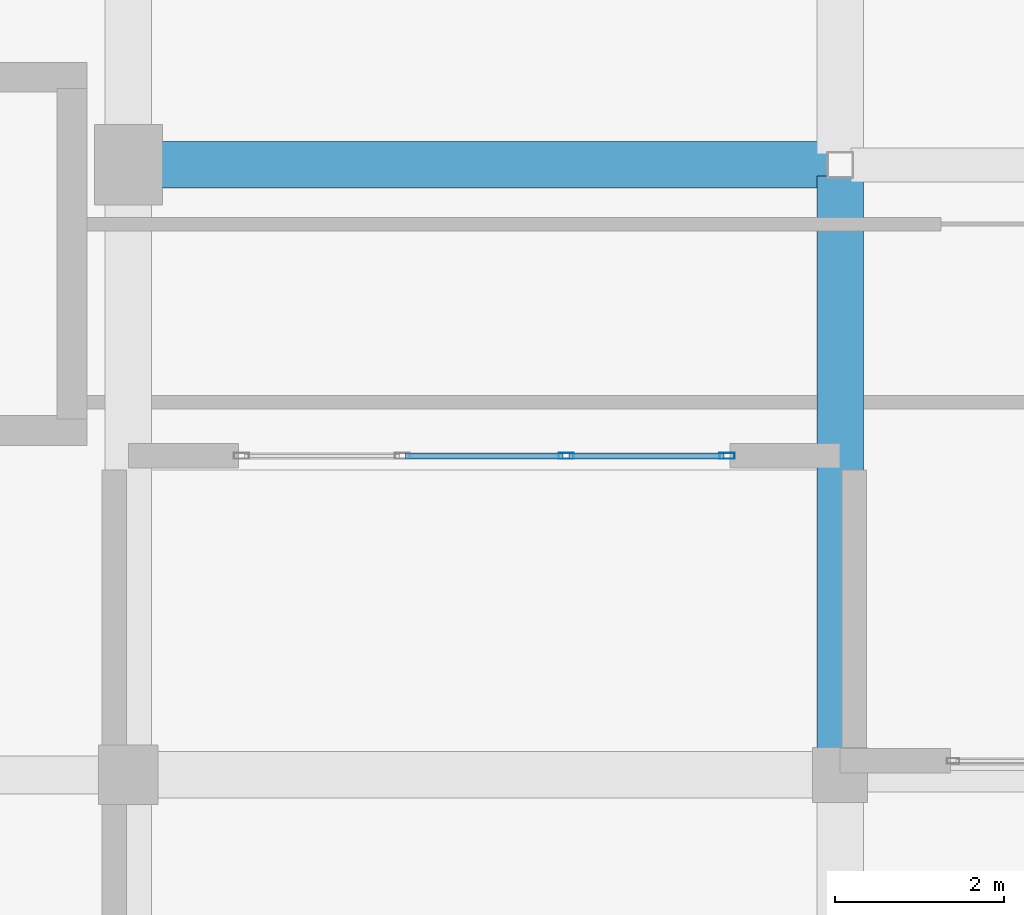
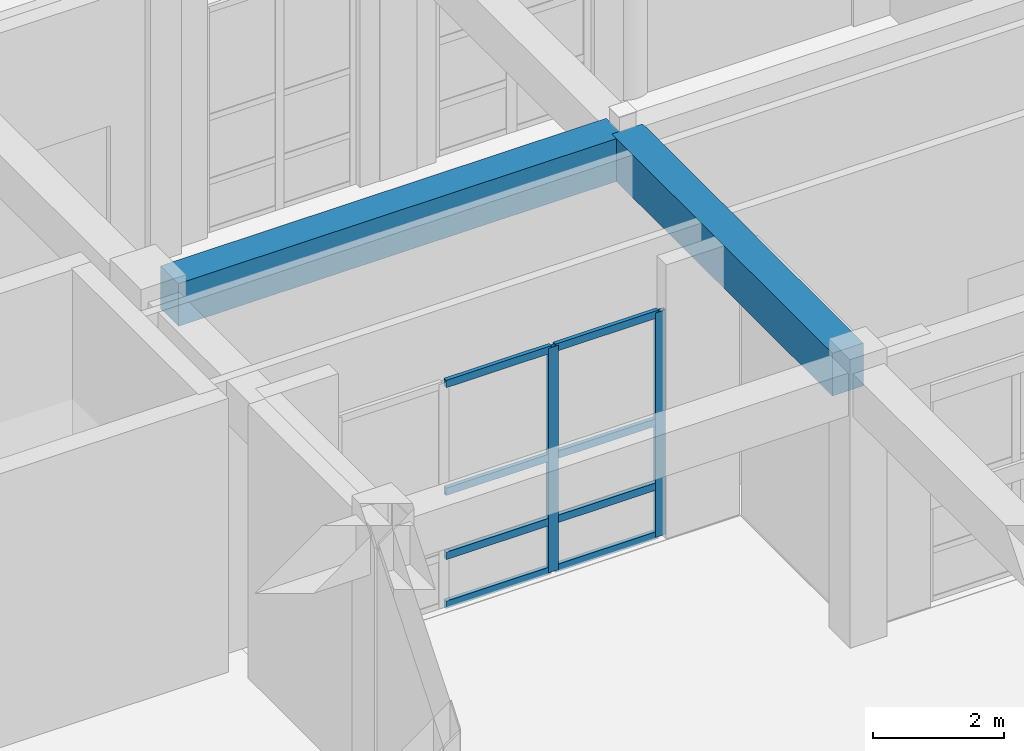
# One storey, part 78 of 148: 10 members, 2 beams, 1 element without a shape of its own.
"""IFC4 building model written with IfcOpenShell, lengths in metres."""

from ifc_helpers import new_model, si_unit, direction, frame, origin, origin_2d, place, context, subcontext, project, spatial, rectangle, hollow_rectangle, extrude, material, layer, layer_set, material_profile, profile_set, type_object, element, aggregate, save


model = new_model("IFC4")

# Units and contexts
model_context = context("Model", 3, precision=1e-05, world=origin(), true_north=direction((0.0, 1.0)))
body_context = subcontext(model_context, "Body", "Model", "MODEL_VIEW")
ifc_project = project(units=[si_unit("LENGTHUNIT", "METRE"), si_unit("AREAUNIT", "SQUARE_METRE"), si_unit("VOLUMEUNIT", "CUBIC_METRE"), si_unit("PLANEANGLEUNIT", "RADIAN"), si_unit("MASSUNIT", "GRAM", prefix="KILO")], contexts=[model_context])

# Site, building, storey
site_placement = place(None, origin())
site = spatial("IfcSite", under=ifc_project, at=site_placement, CompositionType="ELEMENT")
building_placement = place(site_placement, origin())
building = spatial("IfcBuilding", under=site, at=building_placement, Name="Quendrovan Civic Courthouse", CompositionType="ELEMENT")
storey_placement = place(building_placement, origin())
storey = spatial("IfcBuildingStorey", under=building, at=storey_placement, Name="L01", CompositionType="ELEMENT", Elevation=0.0)

# Beams
ifc_material_1 = material(Name="Concrete C40/50", Category="concrete")
ifc_material_profile_1 = material_profile(ifc_material_1, rectangle(XDim=0.550048828125, YDim=0.800048828125, at=origin_2d()), Name="RC-BM-550x800")
ifc_profile_set_1 = profile_set([ifc_material_profile_1], Name="Concrete C40/50")
beam_type = type_object("IfcBeamType", Name="BM-RC800", PredefinedType="BEAM", material=ifc_profile_set_1)
beam_1_placement = place(storey_placement, frame((92.780029296875, 94.800048828125, 4.719970703125), z_axis=(1.0, 0.0, 0.0), x_axis=(0.0, 1.0, 0.0)))
element("IfcBeam", 1, at=beam_1_placement, inside=storey, type_object=beam_type, Name="L01 Girder X0333", PredefinedType="BEAM", context=body_context, shape_type="SweptSolid", body=[
    extrude(rectangle(XDim=0.550048828125, YDim=0.800048828125, at=origin_2d()), origin(), (0.0, 0.0, 1.0), 7.889892578125),
])
beam_2_placement = place(storey_placement, frame((100.800048828125, 87.905029296875, 4.719970703125), z_axis=(0.0, 1.0, 0.0), x_axis=(-1.0, 0.0, 0.0)))
element("IfcBeam", 2, at=beam_2_placement, inside=storey, type_object=beam_type, Name="L01 Girder Y0454", PredefinedType="BEAM", context=body_context, shape_type="SweptSolid", body=[
    extrude(rectangle(XDim=0.550048828125, YDim=0.800048828125, at=origin_2d()), origin(), (0.0, 0.0, 1.0), 6.764892578125),
])

# Curtain wall, members
ifc_material_2 = material(Name="Bronze anodised aluminium and low-E glass", Category="aluminium")
ifc_layer = layer(ifc_material_2, 0.179931640625, Name="Bronze anodised aluminium and low-E glass")
ifc_layer_set = layer_set([ifc_layer], Name="Bronze anodised aluminium and low-E glass")
curtain_wall_type = type_object("IfcCurtainWallType", Name="CW-U58x42", PredefinedType="USERDEFINED", material=ifc_layer_set)
curtain_wall_placement = place(storey_placement, origin())
curtain_wall = element("IfcCurtainWall", 3, at=curtain_wall_placement, inside=storey, type_object=curtain_wall_type, Name="L01 Unitised Hurricane Curtain Wall CW-050", ObjectType="UNITISED CURTAIN WALL", PredefinedType="USERDEFINED")
ifc_material_3 = material(Name="Bronze anodised aluminium", Category="aluminium")
ifc_material_profile_2 = material_profile(ifc_material_3, hollow_rectangle(XDim=0.070068359375, YDim=0.179931640625, WallThickness=0.00390625, at=origin_2d()), Name="CW-MULL-70x180")
ifc_profile_set_2 = profile_set([ifc_material_profile_2], Name="Bronze anodised aluminium")
member_type_1 = type_object("IfcMemberType", Name="CW-MULL-A", PredefinedType="MULLION", material=ifc_profile_set_2)
member_1_placement = place(storey_placement, frame((99.465087890625, 91.364990234375, 0.0), z_axis=(0.0, 0.0, 1.0), x_axis=(0.0, -1.0, 0.0)))
member_1 = element("IfcMember", 4, at=member_1_placement, type_object=member_type_1, Name="CW-050 mullion 1", PredefinedType="MULLION", context=body_context, shape_type="SweptSolid", body=[
    extrude(hollow_rectangle(XDim=0.070068359375, YDim=0.179931640625, WallThickness=0.00390625, at=origin_2d()), origin(), (0.0, 0.0, 1.0), 4.199951171875),
])
member_2_placement = place(storey_placement, frame((97.566650390625, 91.364990234375, 0.0), z_axis=(0.0, 0.0, 1.0), x_axis=(0.0, -1.0, 0.0)))
member_2 = element("IfcMember", 5, at=member_2_placement, type_object=member_type_1, Name="CW-050 mullion 2", PredefinedType="MULLION", context=body_context, shape_type="SweptSolid", body=[
    extrude(hollow_rectangle(XDim=0.070068359375, YDim=0.179931640625, WallThickness=0.00390625, at=origin_2d()), origin(), (0.0, 0.0, 1.0), 4.199951171875),
])
ifc_material_profile_3 = material_profile(ifc_material_3, hollow_rectangle(XDim=0.070068359375, YDim=0.139892578125, WallThickness=0.00390625, at=origin_2d()), Name="CW-TRAN-70x140")
ifc_profile_set_3 = profile_set([ifc_material_profile_3], Name="Bronze anodised aluminium")
member_type_2 = type_object("IfcMemberType", Name="CW-TRAN-A", PredefinedType="USERDEFINED", material=ifc_profile_set_3)
member_3_placement = place(storey_placement, frame((99.429931640625, 91.364990234375, 0.034912109375), z_axis=(-1.0, 0.0, 0.0), x_axis=(0.0, -1.0, 0.0)))
member_3 = element("IfcMember", 6, at=member_3_placement, type_object=member_type_2, Name="CW-050 transom 1.1", ObjectType="TRANSOM", PredefinedType="USERDEFINED", context=body_context, shape_type="SweptSolid", body=[
    extrude(hollow_rectangle(XDim=0.070068359375, YDim=0.139892578125, WallThickness=0.00390625, at=origin_2d()), origin(), (0.0, 0.0, 1.0), 1.828369140625),
])
member_4_placement = place(storey_placement, frame((99.429931640625, 91.364990234375, 0.949951171875), z_axis=(-1.0, 0.0, 0.0), x_axis=(0.0, -1.0, 0.0)))
member_4 = element("IfcMember", 7, at=member_4_placement, type_object=member_type_2, Name="CW-050 transom 1.2", ObjectType="TRANSOM", PredefinedType="USERDEFINED", context=body_context, shape_type="SweptSolid", body=[
    extrude(hollow_rectangle(XDim=0.070068359375, YDim=0.139892578125, WallThickness=0.00390625, at=origin_2d()), origin(), (0.0, 0.0, 1.0), 1.828369140625),
])
member_5_placement = place(storey_placement, frame((99.429931640625, 91.364990234375, 2.14990234375), z_axis=(-1.0, 0.0, 0.0), x_axis=(0.0, -1.0, 0.0)))
member_5 = element("IfcMember", 8, at=member_5_placement, type_object=member_type_2, Name="CW-050 transom 1.3", ObjectType="TRANSOM", PredefinedType="USERDEFINED", context=body_context, shape_type="SweptSolid", body=[
    extrude(hollow_rectangle(XDim=0.070068359375, YDim=0.139892578125, WallThickness=0.00390625, at=origin_2d()), origin(), (0.0, 0.0, 1.0), 1.828369140625),
])
member_6_placement = place(storey_placement, frame((99.429931640625, 91.364990234375, 4.1650390625), z_axis=(-1.0, 0.0, 0.0), x_axis=(0.0, -1.0, 0.0)))
member_6 = element("IfcMember", 9, at=member_6_placement, type_object=member_type_2, Name="CW-050 transom 1.4", ObjectType="TRANSOM", PredefinedType="USERDEFINED", context=body_context, shape_type="SweptSolid", body=[
    extrude(hollow_rectangle(XDim=0.070068359375, YDim=0.139892578125, WallThickness=0.00390625, at=origin_2d()), origin(), (0.0, 0.0, 1.0), 1.828369140625),
])
member_7_placement = place(storey_placement, frame((97.53173828125, 91.364990234375, 0.034912109375), z_axis=(-1.0, 0.0, 0.0), x_axis=(0.0, -1.0, 0.0)))
member_7 = element("IfcMember", 10, at=member_7_placement, type_object=member_type_2, Name="CW-050 transom 2.1", ObjectType="TRANSOM", PredefinedType="USERDEFINED", context=body_context, shape_type="SweptSolid", body=[
    extrude(hollow_rectangle(XDim=0.070068359375, YDim=0.139892578125, WallThickness=0.00390625, at=origin_2d()), origin(), (0.0, 0.0, 1.0), 1.863525390625),
])
member_8_placement = place(storey_placement, frame((97.53173828125, 91.364990234375, 0.949951171875), z_axis=(-1.0, 0.0, 0.0), x_axis=(0.0, -1.0, 0.0)))
member_8 = element("IfcMember", 11, at=member_8_placement, type_object=member_type_2, Name="CW-050 transom 2.2", ObjectType="TRANSOM", PredefinedType="USERDEFINED", context=body_context, shape_type="SweptSolid", body=[
    extrude(hollow_rectangle(XDim=0.070068359375, YDim=0.139892578125, WallThickness=0.00390625, at=origin_2d()), origin(), (0.0, 0.0, 1.0), 1.863525390625),
])
member_9_placement = place(storey_placement, frame((97.53173828125, 91.364990234375, 2.14990234375), z_axis=(-1.0, 0.0, 0.0), x_axis=(0.0, -1.0, 0.0)))
member_9 = element("IfcMember", 12, at=member_9_placement, type_object=member_type_2, Name="CW-050 transom 2.3", ObjectType="TRANSOM", PredefinedType="USERDEFINED", context=body_context, shape_type="SweptSolid", body=[
    extrude(hollow_rectangle(XDim=0.070068359375, YDim=0.139892578125, WallThickness=0.00390625, at=origin_2d()), origin(), (0.0, 0.0, 1.0), 1.863525390625),
])
member_10_placement = place(storey_placement, frame((97.53173828125, 91.364990234375, 4.1650390625), z_axis=(-1.0, 0.0, 0.0), x_axis=(0.0, -1.0, 0.0)))
member_10 = element("IfcMember", 13, at=member_10_placement, type_object=member_type_2, Name="CW-050 transom 2.4", ObjectType="TRANSOM", PredefinedType="USERDEFINED", context=body_context, shape_type="SweptSolid", body=[
    extrude(hollow_rectangle(XDim=0.070068359375, YDim=0.139892578125, WallThickness=0.00390625, at=origin_2d()), origin(), (0.0, 0.0, 1.0), 1.863525390625),
])
aggregate(curtain_wall, [member_1, member_2, member_3, member_4, member_5, member_6, member_7, member_8, member_9, member_10])

save(model, "model.ifc")
